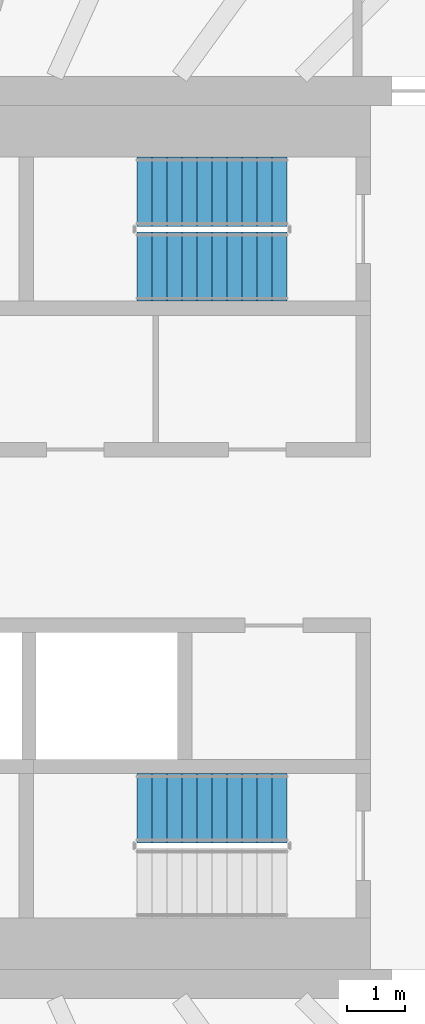
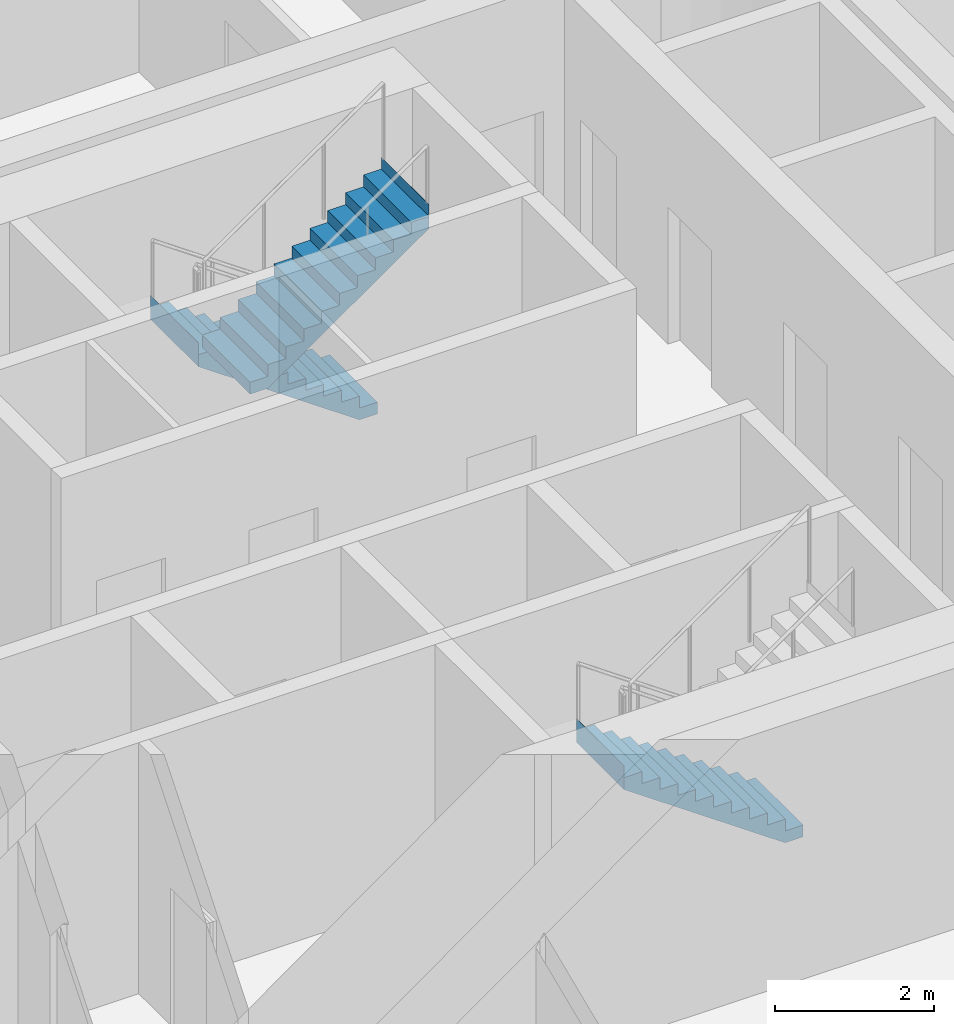
# One storey, part 17 of 24: 3 stair flights, 2 elements without a shape of their own.
"""IFC4 building model written with IfcOpenShell, lengths in metres."""

from ifc_helpers import new_model, si_unit, direction, frame, origin, place, context, subcontext, project, spatial, triangles, material, type_object, element, aggregate, save


model = new_model("IFC4")

# Units and contexts
model_context = context("Model", 3, precision=1e-05, world=origin(), true_north=direction((0.0, 1.0)))
body_context = subcontext(model_context, "Body", "Model", "MODEL_VIEW")
ifc_project = project(units=[si_unit("LENGTHUNIT", "METRE"), si_unit("AREAUNIT", "SQUARE_METRE"), si_unit("VOLUMEUNIT", "CUBIC_METRE"), si_unit("PLANEANGLEUNIT", "RADIAN"), si_unit("MASSUNIT", "GRAM", prefix="KILO")], contexts=[model_context])

# Site, building, storey
site_placement = place(None, origin())
site = spatial("IfcSite", under=ifc_project, at=site_placement, CompositionType="ELEMENT")
building_placement = place(site_placement, origin())
building = spatial("IfcBuilding", under=site, at=building_placement, Name="Sahrelin Media Tower", CompositionType="ELEMENT")
storey_placement = place(building_placement, frame((0.0, 0.0, 153.60009765625)))
storey = spatial("IfcBuildingStorey", under=building, at=storey_placement, Name="L31", CompositionType="ELEMENT", Elevation=153.60009765625)

# Stair, stair flights
ifc_material = material(Name="Concrete C40/50", Category="concrete")
stair_type = type_object("IfcStairType", Name="Exit stair 1200", PredefinedType="HALF_TURN_STAIR", material=ifc_material)
placement = place(storey_placement, origin())
stair_1 = element("IfcStair", 1, at=placement, inside=storey, type_object=stair_type, Name="L31 Exit stair ST3", PredefinedType="HALF_TURN_STAIR")
stair_flight_type = type_object("IfcStairFlightType", Name="Stair flight 1200", PredefinedType="STRAIGHT", material=ifc_material)
stair_flight_1_placement = place(storey_placement, frame((7.675048828125, 6.0, 0.0), z_axis=(0.0, 0.0, 1.0), x_axis=(-1.0, 0.0, 0.0)))
stair_flight_1 = element("IfcStairFlight", 2, at=stair_flight_1_placement, type_object=stair_flight_type, Name="ST3 flight 1", NumberOfRisers=11, NumberOfTreads=10, PredefinedType="STRAIGHT", RiserHeight=0.181818182, TreadLength=0.26, context=body_context, shape_type="Tessellation", body=[
    triangles([(0.261474609375, 0.60009765625, 0.0), (0.261474609375, 0.300048828125, 0.0), (0.261474609375, 0.0, 0.0), (0.261474609375, -0.300048828125, 0.0), (0.261474609375, -0.60009765625, 0.0), (2.60009765625, 0.60009765625, 1.63525390625), (2.60009765625, 0.300048828125, 1.63525390625), (2.60009765625, 0.0, 1.63525390625), (2.60009765625, -0.300048828125, 1.63525390625), (2.60009765625, -0.60009765625, 1.63525390625), (2.60009765625, 0.60009765625, 2.0), (2.60009765625, 0.300048828125, 2.0), (2.60009765625, 0.0, 2.0), (2.60009765625, -0.300048828125, 2.0), (2.60009765625, -0.60009765625, 2.0), (2.597900390625, 0.60009765625, 2.0), (2.597900390625, 0.300048828125, 2.0), (2.597900390625, 0.0, 2.0), (2.597900390625, -0.300048828125, 2.0), (2.597900390625, -0.60009765625, 2.0), (2.597900390625, 0.60009765625, 1.818115234375), (2.597900390625, 0.300048828125, 1.818115234375), (2.597900390625, 0.0, 1.818115234375), (2.597900390625, -0.300048828125, 1.818115234375), (2.597900390625, -0.60009765625, 1.818115234375), (2.340087890625, 0.60009765625, 1.818115234375), (2.340087890625, 0.300048828125, 1.818115234375), (2.340087890625, 0.0, 1.818115234375), (2.340087890625, -0.300048828125, 1.818115234375), (2.340087890625, -0.60009765625, 1.818115234375), (2.340087890625, 0.60009765625, 1.636474609375), (2.340087890625, 0.300048828125, 1.636474609375), (2.340087890625, 0.0, 1.636474609375), (2.340087890625, -0.300048828125, 1.636474609375), (2.340087890625, -0.60009765625, 1.636474609375), (2.080078125, 0.60009765625, 1.636474609375), (2.080078125, 0.300048828125, 1.636474609375), (2.080078125, 0.0, 1.636474609375), (2.080078125, -0.300048828125, 1.636474609375), (2.080078125, -0.60009765625, 1.636474609375), (2.080078125, 0.60009765625, 1.45458984375), (2.080078125, 0.300048828125, 1.45458984375), (2.080078125, 0.0, 1.45458984375), (2.080078125, -0.300048828125, 1.45458984375), (2.080078125, -0.60009765625, 1.45458984375), (1.820068359375, 0.60009765625, 1.45458984375), (1.820068359375, 0.300048828125, 1.45458984375), (1.820068359375, 0.0, 1.45458984375), (1.820068359375, -0.300048828125, 1.45458984375), (1.820068359375, -0.60009765625, 1.45458984375), (1.820068359375, 0.60009765625, 1.272705078125), (1.820068359375, 0.300048828125, 1.272705078125), (1.820068359375, 0.0, 1.272705078125), (1.820068359375, -0.300048828125, 1.272705078125), (1.820068359375, -0.60009765625, 1.272705078125), (1.56005859375, 0.60009765625, 1.272705078125), (1.56005859375, 0.300048828125, 1.272705078125), (1.56005859375, 0.0, 1.272705078125), (1.56005859375, -0.300048828125, 1.272705078125), (1.56005859375, -0.60009765625, 1.272705078125), (1.56005859375, 0.60009765625, 1.0908203125), (1.56005859375, 0.300048828125, 1.0908203125), (1.56005859375, 0.0, 1.0908203125), (1.56005859375, -0.300048828125, 1.0908203125), (1.56005859375, -0.60009765625, 1.0908203125), (1.300048828125, 0.60009765625, 1.0908203125), (1.300048828125, 0.300048828125, 1.0908203125), (1.300048828125, 0.0, 1.0908203125), (1.300048828125, -0.300048828125, 1.0908203125), (1.300048828125, -0.60009765625, 1.0908203125), (1.300048828125, 0.60009765625, 0.9091796875), (1.300048828125, 0.300048828125, 0.9091796875), (1.300048828125, 0.0, 0.9091796875), (1.300048828125, -0.300048828125, 0.9091796875), (1.300048828125, -0.60009765625, 0.9091796875), (1.0400390625, 0.60009765625, 0.9091796875), (1.0400390625, 0.300048828125, 0.9091796875), (1.0400390625, 0.0, 0.9091796875), (1.0400390625, -0.300048828125, 0.9091796875), (1.0400390625, -0.60009765625, 0.9091796875), (1.0400390625, 0.60009765625, 0.727294921875), (1.0400390625, 0.300048828125, 0.727294921875), (1.0400390625, 0.0, 0.727294921875), (1.0400390625, -0.300048828125, 0.727294921875), (1.0400390625, -0.60009765625, 0.727294921875), (0.780029296875, 0.60009765625, 0.727294921875), (0.780029296875, 0.300048828125, 0.727294921875), (0.780029296875, 0.0, 0.727294921875), (0.780029296875, -0.300048828125, 0.727294921875), (0.780029296875, -0.60009765625, 0.727294921875), (0.780029296875, 0.60009765625, 0.54541015625), (0.780029296875, 0.300048828125, 0.54541015625), (0.780029296875, 0.0, 0.54541015625), (0.780029296875, -0.300048828125, 0.54541015625), (0.780029296875, -0.60009765625, 0.54541015625), (0.52001953125, 0.60009765625, 0.54541015625), (0.52001953125, 0.300048828125, 0.54541015625), (0.52001953125, 0.0, 0.54541015625), (0.52001953125, -0.300048828125, 0.54541015625), (0.52001953125, -0.60009765625, 0.54541015625), (0.52001953125, 0.60009765625, 0.363525390625), (0.52001953125, 0.300048828125, 0.363525390625), (0.52001953125, 0.0, 0.363525390625), (0.52001953125, -0.300048828125, 0.363525390625), (0.52001953125, -0.60009765625, 0.363525390625), (0.260009765625, 0.60009765625, 0.363525390625), (0.260009765625, 0.300048828125, 0.363525390625), (0.260009765625, 0.0, 0.363525390625), (0.260009765625, -0.300048828125, 0.363525390625), (0.260009765625, -0.60009765625, 0.363525390625), (0.260009765625, 0.60009765625, 0.181884765625), (0.260009765625, 0.300048828125, 0.181884765625), (0.260009765625, 0.0, 0.181884765625), (0.260009765625, -0.300048828125, 0.181884765625), (0.260009765625, -0.60009765625, 0.181884765625), (0.0, 0.60009765625, 0.181884765625), (0.0, 0.300048828125, 0.181884765625), (0.0, 0.0, 0.181884765625), (0.0, -0.300048828125, 0.181884765625), (0.0, -0.60009765625, 0.181884765625), (0.0, 0.60009765625, 0.0), (0.0, 0.300048828125, 0.0), (0.0, 0.0, 0.0), (0.0, -0.300048828125, 0.0), (0.0, -0.60009765625, 0.0)], [[1, 6, 7], [1, 7, 2], [2, 7, 8], [2, 8, 3], [3, 8, 9], [3, 9, 4], [4, 9, 10], [4, 10, 5], [6, 11, 12], [6, 12, 7], [7, 12, 13], [7, 13, 8], [8, 13, 14], [8, 14, 9], [9, 14, 15], [9, 15, 10], [11, 16, 17], [11, 17, 12], [12, 17, 18], [12, 18, 13], [13, 18, 19], [13, 19, 14], [14, 19, 20], [14, 20, 15], [16, 21, 22], [16, 22, 17], [17, 22, 23], [17, 23, 18], [18, 23, 24], [18, 24, 19], [19, 24, 25], [19, 25, 20], [21, 26, 27], [21, 27, 22], [22, 27, 28], [22, 28, 23], [23, 28, 29], [23, 29, 24], [24, 29, 30], [24, 30, 25], [26, 31, 32], [26, 32, 27], [27, 32, 33], [27, 33, 28], [28, 33, 34], [28, 34, 29], [29, 34, 35], [29, 35, 30], [31, 36, 37], [31, 37, 32], [32, 37, 38], [32, 38, 33], [33, 38, 39], [33, 39, 34], [34, 39, 40], [34, 40, 35], [36, 41, 42], [36, 42, 37], [37, 42, 43], [37, 43, 38], [38, 43, 44], [38, 44, 39], [39, 44, 45], [39, 45, 40], [41, 46, 47], [41, 47, 42], [42, 47, 48], [42, 48, 43], [43, 48, 49], [43, 49, 44], [44, 49, 50], [44, 50, 45], [46, 51, 52], [46, 52, 47], [47, 52, 53], [47, 53, 48], [48, 53, 54], [48, 54, 49], [49, 54, 55], [49, 55, 50], [51, 56, 57], [51, 57, 52], [52, 57, 58], [52, 58, 53], [53, 58, 59], [53, 59, 54], [54, 59, 60], [54, 60, 55], [56, 61, 62], [56, 62, 57], [57, 62, 63], [57, 63, 58], [58, 63, 64], [58, 64, 59], [59, 64, 65], [59, 65, 60], [61, 66, 67], [61, 67, 62], [62, 67, 68], [62, 68, 63], [63, 68, 69], [63, 69, 64], [64, 69, 70], [64, 70, 65], [66, 71, 72], [66, 72, 67], [67, 72, 73], [67, 73, 68], [68, 73, 74], [68, 74, 69], [69, 74, 75], [69, 75, 70], [71, 76, 77], [71, 77, 72], [72, 77, 78], [72, 78, 73], [73, 78, 79], [73, 79, 74], [74, 79, 80], [74, 80, 75], [76, 81, 82], [76, 82, 77], [77, 82, 83], [77, 83, 78], [78, 83, 84], [78, 84, 79], [79, 84, 85], [79, 85, 80], [81, 86, 87], [81, 87, 82], [82, 87, 88], [82, 88, 83], [83, 88, 89], [83, 89, 84], [84, 89, 90], [84, 90, 85], [86, 91, 92], [86, 92, 87], [87, 92, 93], [87, 93, 88], [88, 93, 94], [88, 94, 89], [89, 94, 95], [89, 95, 90], [91, 96, 97], [91, 97, 92], [92, 97, 98], [92, 98, 93], [93, 98, 99], [93, 99, 94], [94, 99, 100], [94, 100, 95], [96, 101, 102], [96, 102, 97], [97, 102, 103], [97, 103, 98], [98, 103, 104], [98, 104, 99], [99, 104, 105], [99, 105, 100], [101, 106, 107], [101, 107, 102], [102, 107, 108], [102, 108, 103], [103, 108, 109], [103, 109, 104], [104, 109, 110], [104, 110, 105], [106, 111, 112], [106, 112, 107], [107, 112, 113], [107, 113, 108], [108, 113, 114], [108, 114, 109], [109, 114, 115], [109, 115, 110], [111, 116, 117], [111, 117, 112], [112, 117, 118], [112, 118, 113], [113, 118, 119], [113, 119, 114], [114, 119, 120], [114, 120, 115], [116, 121, 122], [116, 122, 117], [117, 122, 123], [117, 123, 118], [118, 123, 124], [118, 124, 119], [119, 124, 125], [119, 125, 120], [121, 1, 2], [121, 2, 122], [122, 2, 3], [122, 3, 123], [123, 3, 4], [123, 4, 124], [124, 4, 5], [124, 5, 125], [115, 120, 125], [111, 121, 116], [115, 105, 110], [111, 106, 101], [105, 95, 100], [101, 96, 91], [95, 85, 90], [91, 86, 81], [85, 75, 80], [81, 76, 71], [75, 65, 70], [71, 66, 61], [65, 55, 60], [61, 56, 51], [55, 45, 50], [51, 46, 41], [45, 35, 40], [41, 36, 31], [35, 25, 30], [31, 26, 21], [25, 15, 20], [21, 16, 11], [125, 5, 115], [121, 111, 1], [25, 10, 15], [21, 11, 6], [105, 115, 5], [101, 1, 111], [35, 10, 25], [31, 21, 6], [95, 105, 5], [91, 1, 101], [45, 10, 35], [41, 31, 6], [85, 95, 5], [81, 1, 91], [55, 10, 45], [51, 41, 6], [75, 85, 5], [71, 1, 81], [65, 10, 55], [61, 51, 6], [5, 10, 75], [1, 71, 6], [75, 10, 65], [71, 61, 6]], closed=True),
])
stair_flight_2_placement = place(storey_placement, frame((5.074951171875, 4.699951171875, 2.0), z_axis=(0.0, 0.0, 1.0), x_axis=(1.0, 0.0, 0.0)))
stair_flight_2 = element("IfcStairFlight", 3, at=stair_flight_2_placement, type_object=stair_flight_type, Name="ST3 flight 2", NumberOfRisers=11, NumberOfTreads=10, PredefinedType="STRAIGHT", RiserHeight=0.181818182, TreadLength=0.26, context=body_context, shape_type="Tessellation", body=[
    triangles([(0.261474609375, 0.60009765625, 0.0), (0.261474609375, 0.300048828125, 0.0), (0.261474609375, 0.0, 0.0), (0.261474609375, -0.300048828125, 0.0), (0.261474609375, -0.60009765625, 0.0), (2.60009765625, 0.60009765625, 1.63525390625), (2.60009765625, 0.300048828125, 1.63525390625), (2.60009765625, 0.0, 1.63525390625), (2.60009765625, -0.300048828125, 1.63525390625), (2.60009765625, -0.60009765625, 1.63525390625), (2.60009765625, 0.60009765625, 2.0), (2.60009765625, 0.300048828125, 2.0), (2.60009765625, 0.0, 2.0), (2.60009765625, -0.300048828125, 2.0), (2.60009765625, -0.60009765625, 2.0), (2.597900390625, 0.60009765625, 2.0), (2.597900390625, 0.300048828125, 2.0), (2.597900390625, 0.0, 2.0), (2.597900390625, -0.300048828125, 2.0), (2.597900390625, -0.60009765625, 2.0), (2.597900390625, 0.60009765625, 1.818115234375), (2.597900390625, 0.300048828125, 1.818115234375), (2.597900390625, 0.0, 1.818115234375), (2.597900390625, -0.300048828125, 1.818115234375), (2.597900390625, -0.60009765625, 1.818115234375), (2.340087890625, 0.60009765625, 1.818115234375), (2.340087890625, 0.300048828125, 1.818115234375), (2.340087890625, 0.0, 1.818115234375), (2.340087890625, -0.300048828125, 1.818115234375), (2.340087890625, -0.60009765625, 1.818115234375), (2.340087890625, 0.60009765625, 1.636474609375), (2.340087890625, 0.300048828125, 1.636474609375), (2.340087890625, 0.0, 1.636474609375), (2.340087890625, -0.300048828125, 1.636474609375), (2.340087890625, -0.60009765625, 1.636474609375), (2.080078125, 0.60009765625, 1.636474609375), (2.080078125, 0.300048828125, 1.636474609375), (2.080078125, 0.0, 1.636474609375), (2.080078125, -0.300048828125, 1.636474609375), (2.080078125, -0.60009765625, 1.636474609375), (2.080078125, 0.60009765625, 1.45458984375), (2.080078125, 0.300048828125, 1.45458984375), (2.080078125, 0.0, 1.45458984375), (2.080078125, -0.300048828125, 1.45458984375), (2.080078125, -0.60009765625, 1.45458984375), (1.820068359375, 0.60009765625, 1.45458984375), (1.820068359375, 0.300048828125, 1.45458984375), (1.820068359375, 0.0, 1.45458984375), (1.820068359375, -0.300048828125, 1.45458984375), (1.820068359375, -0.60009765625, 1.45458984375), (1.820068359375, 0.60009765625, 1.272705078125), (1.820068359375, 0.300048828125, 1.272705078125), (1.820068359375, 0.0, 1.272705078125), (1.820068359375, -0.300048828125, 1.272705078125), (1.820068359375, -0.60009765625, 1.272705078125), (1.56005859375, 0.60009765625, 1.272705078125), (1.56005859375, 0.300048828125, 1.272705078125), (1.56005859375, 0.0, 1.272705078125), (1.56005859375, -0.300048828125, 1.272705078125), (1.56005859375, -0.60009765625, 1.272705078125), (1.56005859375, 0.60009765625, 1.0908203125), (1.56005859375, 0.300048828125, 1.0908203125), (1.56005859375, 0.0, 1.0908203125), (1.56005859375, -0.300048828125, 1.0908203125), (1.56005859375, -0.60009765625, 1.0908203125), (1.300048828125, 0.60009765625, 1.0908203125), (1.300048828125, 0.300048828125, 1.0908203125), (1.300048828125, 0.0, 1.0908203125), (1.300048828125, -0.300048828125, 1.0908203125), (1.300048828125, -0.60009765625, 1.0908203125), (1.300048828125, 0.60009765625, 0.9091796875), (1.300048828125, 0.300048828125, 0.9091796875), (1.300048828125, 0.0, 0.9091796875), (1.300048828125, -0.300048828125, 0.9091796875), (1.300048828125, -0.60009765625, 0.9091796875), (1.0400390625, 0.60009765625, 0.9091796875), (1.0400390625, 0.300048828125, 0.9091796875), (1.0400390625, 0.0, 0.9091796875), (1.0400390625, -0.300048828125, 0.9091796875), (1.0400390625, -0.60009765625, 0.9091796875), (1.0400390625, 0.60009765625, 0.727294921875), (1.0400390625, 0.300048828125, 0.727294921875), (1.0400390625, 0.0, 0.727294921875), (1.0400390625, -0.300048828125, 0.727294921875), (1.0400390625, -0.60009765625, 0.727294921875), (0.780029296875, 0.60009765625, 0.727294921875), (0.780029296875, 0.300048828125, 0.727294921875), (0.780029296875, 0.0, 0.727294921875), (0.780029296875, -0.300048828125, 0.727294921875), (0.780029296875, -0.60009765625, 0.727294921875), (0.780029296875, 0.60009765625, 0.54541015625), (0.780029296875, 0.300048828125, 0.54541015625), (0.780029296875, 0.0, 0.54541015625), (0.780029296875, -0.300048828125, 0.54541015625), (0.780029296875, -0.60009765625, 0.54541015625), (0.52001953125, 0.60009765625, 0.54541015625), (0.52001953125, 0.300048828125, 0.54541015625), (0.52001953125, 0.0, 0.54541015625), (0.52001953125, -0.300048828125, 0.54541015625), (0.52001953125, -0.60009765625, 0.54541015625), (0.52001953125, 0.60009765625, 0.363525390625), (0.52001953125, 0.300048828125, 0.363525390625), (0.52001953125, 0.0, 0.363525390625), (0.52001953125, -0.300048828125, 0.363525390625), (0.52001953125, -0.60009765625, 0.363525390625), (0.260009765625, 0.60009765625, 0.363525390625), (0.260009765625, 0.300048828125, 0.363525390625), (0.260009765625, 0.0, 0.363525390625), (0.260009765625, -0.300048828125, 0.363525390625), (0.260009765625, -0.60009765625, 0.363525390625), (0.260009765625, 0.60009765625, 0.181884765625), (0.260009765625, 0.300048828125, 0.181884765625), (0.260009765625, 0.0, 0.181884765625), (0.260009765625, -0.300048828125, 0.181884765625), (0.260009765625, -0.60009765625, 0.181884765625), (0.0, 0.60009765625, 0.181884765625), (0.0, 0.300048828125, 0.181884765625), (0.0, 0.0, 0.181884765625), (0.0, -0.300048828125, 0.181884765625), (0.0, -0.60009765625, 0.181884765625), (0.0, 0.60009765625, 0.0), (0.0, 0.300048828125, 0.0), (0.0, 0.0, 0.0), (0.0, -0.300048828125, 0.0), (0.0, -0.60009765625, 0.0)], [[1, 6, 7], [1, 7, 2], [2, 7, 8], [2, 8, 3], [3, 8, 9], [3, 9, 4], [4, 9, 10], [4, 10, 5], [6, 11, 12], [6, 12, 7], [7, 12, 13], [7, 13, 8], [8, 13, 14], [8, 14, 9], [9, 14, 15], [9, 15, 10], [11, 16, 17], [11, 17, 12], [12, 17, 18], [12, 18, 13], [13, 18, 19], [13, 19, 14], [14, 19, 20], [14, 20, 15], [16, 21, 22], [16, 22, 17], [17, 22, 23], [17, 23, 18], [18, 23, 24], [18, 24, 19], [19, 24, 25], [19, 25, 20], [21, 26, 27], [21, 27, 22], [22, 27, 28], [22, 28, 23], [23, 28, 29], [23, 29, 24], [24, 29, 30], [24, 30, 25], [26, 31, 32], [26, 32, 27], [27, 32, 33], [27, 33, 28], [28, 33, 34], [28, 34, 29], [29, 34, 35], [29, 35, 30], [31, 36, 37], [31, 37, 32], [32, 37, 38], [32, 38, 33], [33, 38, 39], [33, 39, 34], [34, 39, 40], [34, 40, 35], [36, 41, 42], [36, 42, 37], [37, 42, 43], [37, 43, 38], [38, 43, 44], [38, 44, 39], [39, 44, 45], [39, 45, 40], [41, 46, 47], [41, 47, 42], [42, 47, 48], [42, 48, 43], [43, 48, 49], [43, 49, 44], [44, 49, 50], [44, 50, 45], [46, 51, 52], [46, 52, 47], [47, 52, 53], [47, 53, 48], [48, 53, 54], [48, 54, 49], [49, 54, 55], [49, 55, 50], [51, 56, 57], [51, 57, 52], [52, 57, 58], [52, 58, 53], [53, 58, 59], [53, 59, 54], [54, 59, 60], [54, 60, 55], [56, 61, 62], [56, 62, 57], [57, 62, 63], [57, 63, 58], [58, 63, 64], [58, 64, 59], [59, 64, 65], [59, 65, 60], [61, 66, 67], [61, 67, 62], [62, 67, 68], [62, 68, 63], [63, 68, 69], [63, 69, 64], [64, 69, 70], [64, 70, 65], [66, 71, 72], [66, 72, 67], [67, 72, 73], [67, 73, 68], [68, 73, 74], [68, 74, 69], [69, 74, 75], [69, 75, 70], [71, 76, 77], [71, 77, 72], [72, 77, 78], [72, 78, 73], [73, 78, 79], [73, 79, 74], [74, 79, 80], [74, 80, 75], [76, 81, 82], [76, 82, 77], [77, 82, 83], [77, 83, 78], [78, 83, 84], [78, 84, 79], [79, 84, 85], [79, 85, 80], [81, 86, 87], [81, 87, 82], [82, 87, 88], [82, 88, 83], [83, 88, 89], [83, 89, 84], [84, 89, 90], [84, 90, 85], [86, 91, 92], [86, 92, 87], [87, 92, 93], [87, 93, 88], [88, 93, 94], [88, 94, 89], [89, 94, 95], [89, 95, 90], [91, 96, 97], [91, 97, 92], [92, 97, 98], [92, 98, 93], [93, 98, 99], [93, 99, 94], [94, 99, 100], [94, 100, 95], [96, 101, 102], [96, 102, 97], [97, 102, 103], [97, 103, 98], [98, 103, 104], [98, 104, 99], [99, 104, 105], [99, 105, 100], [101, 106, 107], [101, 107, 102], [102, 107, 108], [102, 108, 103], [103, 108, 109], [103, 109, 104], [104, 109, 110], [104, 110, 105], [106, 111, 112], [106, 112, 107], [107, 112, 113], [107, 113, 108], [108, 113, 114], [108, 114, 109], [109, 114, 115], [109, 115, 110], [111, 116, 117], [111, 117, 112], [112, 117, 118], [112, 118, 113], [113, 118, 119], [113, 119, 114], [114, 119, 120], [114, 120, 115], [116, 121, 122], [116, 122, 117], [117, 122, 123], [117, 123, 118], [118, 123, 124], [118, 124, 119], [119, 124, 125], [119, 125, 120], [121, 1, 2], [121, 2, 122], [122, 2, 3], [122, 3, 123], [123, 3, 4], [123, 4, 124], [124, 4, 5], [124, 5, 125], [115, 120, 125], [111, 121, 116], [115, 105, 110], [111, 106, 101], [105, 95, 100], [101, 96, 91], [95, 85, 90], [91, 86, 81], [85, 75, 80], [81, 76, 71], [75, 65, 70], [71, 66, 61], [65, 55, 60], [61, 56, 51], [55, 45, 50], [51, 46, 41], [45, 35, 40], [41, 36, 31], [35, 25, 30], [31, 26, 21], [25, 15, 20], [21, 16, 11], [125, 5, 115], [121, 111, 1], [25, 10, 15], [21, 11, 6], [105, 115, 5], [101, 1, 111], [35, 10, 25], [31, 21, 6], [95, 105, 5], [91, 1, 101], [45, 10, 35], [41, 31, 6], [85, 95, 5], [81, 1, 91], [55, 10, 45], [51, 41, 6], [75, 85, 5], [71, 1, 81], [65, 10, 55], [61, 51, 6], [5, 10, 75], [1, 71, 6], [75, 10, 65], [71, 61, 6]], closed=True),
])
aggregate(stair_1, [stair_flight_1, stair_flight_2])

# Stair, stair flight
stair_2 = element("IfcStair", 4, at=placement, inside=storey, type_object=stair_type, Name="L31 Exit stair ST2", PredefinedType="HALF_TURN_STAIR")
stair_flight_3_placement = place(storey_placement, frame((7.675048828125, -4.699951171875, 0.0), z_axis=(0.0, 0.0, 1.0), x_axis=(-1.0, 0.0, 0.0)))
stair_flight_3 = element("IfcStairFlight", 5, at=stair_flight_3_placement, type_object=stair_flight_type, Name="ST2 flight 1", NumberOfRisers=11, NumberOfTreads=10, PredefinedType="STRAIGHT", RiserHeight=0.181818182, TreadLength=0.26, context=body_context, shape_type="Tessellation", body=[
    triangles([(0.261474609375, 0.60009765625, 0.0), (0.261474609375, 0.300048828125, 0.0), (0.261474609375, 0.0, 0.0), (0.261474609375, -0.300048828125, 0.0), (0.261474609375, -0.60009765625, 0.0), (2.60009765625, 0.60009765625, 1.63525390625), (2.60009765625, 0.300048828125, 1.63525390625), (2.60009765625, 0.0, 1.63525390625), (2.60009765625, -0.300048828125, 1.63525390625), (2.60009765625, -0.60009765625, 1.63525390625), (2.60009765625, 0.60009765625, 2.0), (2.60009765625, 0.300048828125, 2.0), (2.60009765625, 0.0, 2.0), (2.60009765625, -0.300048828125, 2.0), (2.60009765625, -0.60009765625, 2.0), (2.597900390625, 0.60009765625, 2.0), (2.597900390625, 0.300048828125, 2.0), (2.597900390625, 0.0, 2.0), (2.597900390625, -0.300048828125, 2.0), (2.597900390625, -0.60009765625, 2.0), (2.597900390625, 0.60009765625, 1.818115234375), (2.597900390625, 0.300048828125, 1.818115234375), (2.597900390625, 0.0, 1.818115234375), (2.597900390625, -0.300048828125, 1.818115234375), (2.597900390625, -0.60009765625, 1.818115234375), (2.340087890625, 0.60009765625, 1.818115234375), (2.340087890625, 0.300048828125, 1.818115234375), (2.340087890625, 0.0, 1.818115234375), (2.340087890625, -0.300048828125, 1.818115234375), (2.340087890625, -0.60009765625, 1.818115234375), (2.340087890625, 0.60009765625, 1.636474609375), (2.340087890625, 0.300048828125, 1.636474609375), (2.340087890625, 0.0, 1.636474609375), (2.340087890625, -0.300048828125, 1.636474609375), (2.340087890625, -0.60009765625, 1.636474609375), (2.080078125, 0.60009765625, 1.636474609375), (2.080078125, 0.300048828125, 1.636474609375), (2.080078125, 0.0, 1.636474609375), (2.080078125, -0.300048828125, 1.636474609375), (2.080078125, -0.60009765625, 1.636474609375), (2.080078125, 0.60009765625, 1.45458984375), (2.080078125, 0.300048828125, 1.45458984375), (2.080078125, 0.0, 1.45458984375), (2.080078125, -0.300048828125, 1.45458984375), (2.080078125, -0.60009765625, 1.45458984375), (1.820068359375, 0.60009765625, 1.45458984375), (1.820068359375, 0.300048828125, 1.45458984375), (1.820068359375, 0.0, 1.45458984375), (1.820068359375, -0.300048828125, 1.45458984375), (1.820068359375, -0.60009765625, 1.45458984375), (1.820068359375, 0.60009765625, 1.272705078125), (1.820068359375, 0.300048828125, 1.272705078125), (1.820068359375, 0.0, 1.272705078125), (1.820068359375, -0.300048828125, 1.272705078125), (1.820068359375, -0.60009765625, 1.272705078125), (1.56005859375, 0.60009765625, 1.272705078125), (1.56005859375, 0.300048828125, 1.272705078125), (1.56005859375, 0.0, 1.272705078125), (1.56005859375, -0.300048828125, 1.272705078125), (1.56005859375, -0.60009765625, 1.272705078125), (1.56005859375, 0.60009765625, 1.0908203125), (1.56005859375, 0.300048828125, 1.0908203125), (1.56005859375, 0.0, 1.0908203125), (1.56005859375, -0.300048828125, 1.0908203125), (1.56005859375, -0.60009765625, 1.0908203125), (1.300048828125, 0.60009765625, 1.0908203125), (1.300048828125, 0.300048828125, 1.0908203125), (1.300048828125, 0.0, 1.0908203125), (1.300048828125, -0.300048828125, 1.0908203125), (1.300048828125, -0.60009765625, 1.0908203125), (1.300048828125, 0.60009765625, 0.9091796875), (1.300048828125, 0.300048828125, 0.9091796875), (1.300048828125, 0.0, 0.9091796875), (1.300048828125, -0.300048828125, 0.9091796875), (1.300048828125, -0.60009765625, 0.9091796875), (1.0400390625, 0.60009765625, 0.9091796875), (1.0400390625, 0.300048828125, 0.9091796875), (1.0400390625, 0.0, 0.9091796875), (1.0400390625, -0.300048828125, 0.9091796875), (1.0400390625, -0.60009765625, 0.9091796875), (1.0400390625, 0.60009765625, 0.727294921875), (1.0400390625, 0.300048828125, 0.727294921875), (1.0400390625, 0.0, 0.727294921875), (1.0400390625, -0.300048828125, 0.727294921875), (1.0400390625, -0.60009765625, 0.727294921875), (0.780029296875, 0.60009765625, 0.727294921875), (0.780029296875, 0.300048828125, 0.727294921875), (0.780029296875, 0.0, 0.727294921875), (0.780029296875, -0.300048828125, 0.727294921875), (0.780029296875, -0.60009765625, 0.727294921875), (0.780029296875, 0.60009765625, 0.54541015625), (0.780029296875, 0.300048828125, 0.54541015625), (0.780029296875, 0.0, 0.54541015625), (0.780029296875, -0.300048828125, 0.54541015625), (0.780029296875, -0.60009765625, 0.54541015625), (0.52001953125, 0.60009765625, 0.54541015625), (0.52001953125, 0.300048828125, 0.54541015625), (0.52001953125, 0.0, 0.54541015625), (0.52001953125, -0.300048828125, 0.54541015625), (0.52001953125, -0.60009765625, 0.54541015625), (0.52001953125, 0.60009765625, 0.363525390625), (0.52001953125, 0.300048828125, 0.363525390625), (0.52001953125, 0.0, 0.363525390625), (0.52001953125, -0.300048828125, 0.363525390625), (0.52001953125, -0.60009765625, 0.363525390625), (0.260009765625, 0.60009765625, 0.363525390625), (0.260009765625, 0.300048828125, 0.363525390625), (0.260009765625, 0.0, 0.363525390625), (0.260009765625, -0.300048828125, 0.363525390625), (0.260009765625, -0.60009765625, 0.363525390625), (0.260009765625, 0.60009765625, 0.181884765625), (0.260009765625, 0.300048828125, 0.181884765625), (0.260009765625, 0.0, 0.181884765625), (0.260009765625, -0.300048828125, 0.181884765625), (0.260009765625, -0.60009765625, 0.181884765625), (0.0, 0.60009765625, 0.181884765625), (0.0, 0.300048828125, 0.181884765625), (0.0, 0.0, 0.181884765625), (0.0, -0.300048828125, 0.181884765625), (0.0, -0.60009765625, 0.181884765625), (0.0, 0.60009765625, 0.0), (0.0, 0.300048828125, 0.0), (0.0, 0.0, 0.0), (0.0, -0.300048828125, 0.0), (0.0, -0.60009765625, 0.0)], [[1, 6, 7], [1, 7, 2], [2, 7, 8], [2, 8, 3], [3, 8, 9], [3, 9, 4], [4, 9, 10], [4, 10, 5], [6, 11, 12], [6, 12, 7], [7, 12, 13], [7, 13, 8], [8, 13, 14], [8, 14, 9], [9, 14, 15], [9, 15, 10], [11, 16, 17], [11, 17, 12], [12, 17, 18], [12, 18, 13], [13, 18, 19], [13, 19, 14], [14, 19, 20], [14, 20, 15], [16, 21, 22], [16, 22, 17], [17, 22, 23], [17, 23, 18], [18, 23, 24], [18, 24, 19], [19, 24, 25], [19, 25, 20], [21, 26, 27], [21, 27, 22], [22, 27, 28], [22, 28, 23], [23, 28, 29], [23, 29, 24], [24, 29, 30], [24, 30, 25], [26, 31, 32], [26, 32, 27], [27, 32, 33], [27, 33, 28], [28, 33, 34], [28, 34, 29], [29, 34, 35], [29, 35, 30], [31, 36, 37], [31, 37, 32], [32, 37, 38], [32, 38, 33], [33, 38, 39], [33, 39, 34], [34, 39, 40], [34, 40, 35], [36, 41, 42], [36, 42, 37], [37, 42, 43], [37, 43, 38], [38, 43, 44], [38, 44, 39], [39, 44, 45], [39, 45, 40], [41, 46, 47], [41, 47, 42], [42, 47, 48], [42, 48, 43], [43, 48, 49], [43, 49, 44], [44, 49, 50], [44, 50, 45], [46, 51, 52], [46, 52, 47], [47, 52, 53], [47, 53, 48], [48, 53, 54], [48, 54, 49], [49, 54, 55], [49, 55, 50], [51, 56, 57], [51, 57, 52], [52, 57, 58], [52, 58, 53], [53, 58, 59], [53, 59, 54], [54, 59, 60], [54, 60, 55], [56, 61, 62], [56, 62, 57], [57, 62, 63], [57, 63, 58], [58, 63, 64], [58, 64, 59], [59, 64, 65], [59, 65, 60], [61, 66, 67], [61, 67, 62], [62, 67, 68], [62, 68, 63], [63, 68, 69], [63, 69, 64], [64, 69, 70], [64, 70, 65], [66, 71, 72], [66, 72, 67], [67, 72, 73], [67, 73, 68], [68, 73, 74], [68, 74, 69], [69, 74, 75], [69, 75, 70], [71, 76, 77], [71, 77, 72], [72, 77, 78], [72, 78, 73], [73, 78, 79], [73, 79, 74], [74, 79, 80], [74, 80, 75], [76, 81, 82], [76, 82, 77], [77, 82, 83], [77, 83, 78], [78, 83, 84], [78, 84, 79], [79, 84, 85], [79, 85, 80], [81, 86, 87], [81, 87, 82], [82, 87, 88], [82, 88, 83], [83, 88, 89], [83, 89, 84], [84, 89, 90], [84, 90, 85], [86, 91, 92], [86, 92, 87], [87, 92, 93], [87, 93, 88], [88, 93, 94], [88, 94, 89], [89, 94, 95], [89, 95, 90], [91, 96, 97], [91, 97, 92], [92, 97, 98], [92, 98, 93], [93, 98, 99], [93, 99, 94], [94, 99, 100], [94, 100, 95], [96, 101, 102], [96, 102, 97], [97, 102, 103], [97, 103, 98], [98, 103, 104], [98, 104, 99], [99, 104, 105], [99, 105, 100], [101, 106, 107], [101, 107, 102], [102, 107, 108], [102, 108, 103], [103, 108, 109], [103, 109, 104], [104, 109, 110], [104, 110, 105], [106, 111, 112], [106, 112, 107], [107, 112, 113], [107, 113, 108], [108, 113, 114], [108, 114, 109], [109, 114, 115], [109, 115, 110], [111, 116, 117], [111, 117, 112], [112, 117, 118], [112, 118, 113], [113, 118, 119], [113, 119, 114], [114, 119, 120], [114, 120, 115], [116, 121, 122], [116, 122, 117], [117, 122, 123], [117, 123, 118], [118, 123, 124], [118, 124, 119], [119, 124, 125], [119, 125, 120], [121, 1, 2], [121, 2, 122], [122, 2, 3], [122, 3, 123], [123, 3, 4], [123, 4, 124], [124, 4, 5], [124, 5, 125], [115, 120, 125], [111, 121, 116], [115, 105, 110], [111, 106, 101], [105, 95, 100], [101, 96, 91], [95, 85, 90], [91, 86, 81], [85, 75, 80], [81, 76, 71], [75, 65, 70], [71, 66, 61], [65, 55, 60], [61, 56, 51], [55, 45, 50], [51, 46, 41], [45, 35, 40], [41, 36, 31], [35, 25, 30], [31, 26, 21], [25, 15, 20], [21, 16, 11], [125, 5, 115], [121, 111, 1], [25, 10, 15], [21, 11, 6], [105, 115, 5], [101, 1, 111], [35, 10, 25], [31, 21, 6], [95, 105, 5], [91, 1, 101], [45, 10, 35], [41, 31, 6], [85, 95, 5], [81, 1, 91], [55, 10, 45], [51, 41, 6], [75, 85, 5], [71, 1, 81], [65, 10, 55], [61, 51, 6], [5, 10, 75], [1, 71, 6], [75, 10, 65], [71, 61, 6]], closed=True),
])
aggregate(stair_2, [stair_flight_3])

save(model, "model.ifc")
